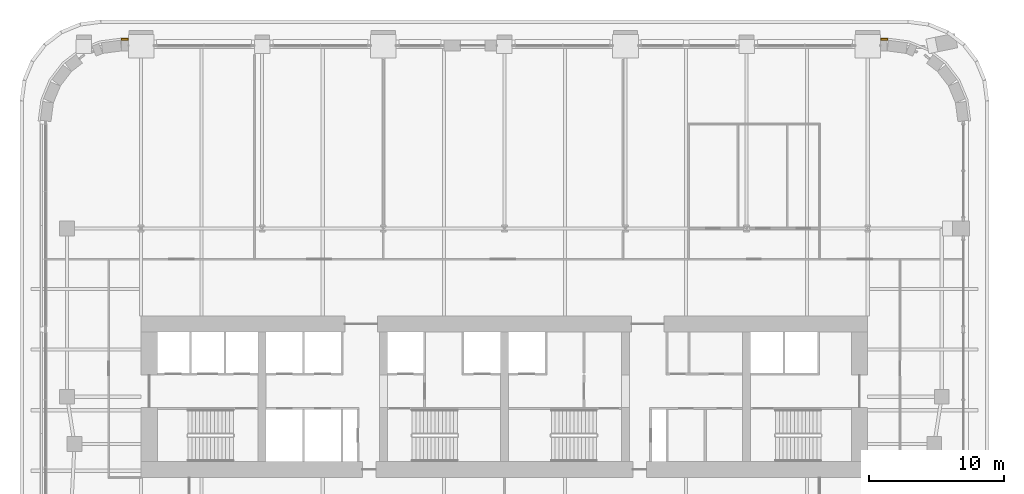
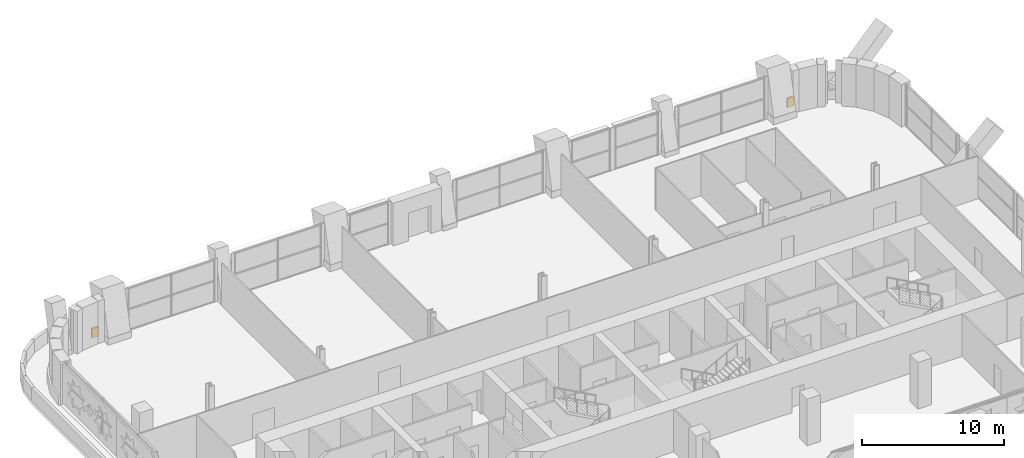
# One storey, part 26 of 26: 2 coverings.
"""IFC4 building model written with IfcOpenShell, lengths in metres."""

from ifc_helpers import new_model, si_unit, direction, frame, origin, place, context, subcontext, project, spatial, polyline, outline, extrude, material, layer, layer_set, type_object, element, save


model = new_model("IFC4")

# Units and contexts
model_context = context("Model", 3, precision=1e-05, world=origin(), true_north=direction((0.0, 1.0)))
body_context = subcontext(model_context, "Body", "Model", "MODEL_VIEW")
ifc_project = project(units=[si_unit("LENGTHUNIT", "METRE"), si_unit("AREAUNIT", "SQUARE_METRE"), si_unit("VOLUMEUNIT", "CUBIC_METRE"), si_unit("PLANEANGLEUNIT", "RADIAN"), si_unit("MASSUNIT", "GRAM", prefix="KILO")], contexts=[model_context])

# Site, building, storey
site_placement = place(None, origin())
site = spatial("IfcSite", under=ifc_project, at=site_placement, CompositionType="ELEMENT")
building_placement = place(site_placement, origin())
building = spatial("IfcBuilding", under=site, at=building_placement, Name="Zellij Exchange Tower", CompositionType="ELEMENT")
storey_placement = place(building_placement, frame((0.0, 0.0, 100.5)))
storey = spatial("IfcBuildingStorey", under=building, at=storey_placement, Name="L21", CompositionType="ELEMENT", Elevation=100.5)

# Coverings
ifc_material = material(Name="Limestone cladding", Category="masonry")
ifc_layer = layer(ifc_material, 0.14990234375)
ifc_layer_set = layer_set([ifc_layer], Name="Limestone cladding")
covering_type = type_object("IfcCoveringType", Name="ENV-CV1 Stone spandrel band 150", PredefinedType="CLADDING", material=ifc_layer_set)
covering_1_placement = place(storey_placement, origin())
element("IfcCovering", 1, at=covering_1_placement, inside=storey, type_object=covering_type, Name="Stone spandrel band", PredefinedType="CLADDING", context=body_context, shape_type="SweptSolid", body=[
    extrude(outline(polyline([(28.473876953125, 18.5), (27.949951171875, 18.5), (27.949951171875, 18.64990234375), (28.483642578125, 18.64990234375), (28.473876953125, 18.5)])), origin(), (0.0, 0.0, 1.0), 0.800048828125),
])
covering_2_placement = place(storey_placement, origin())
element("IfcCovering", 2, at=covering_2_placement, inside=storey, type_object=covering_type, Name="Stone spandrel band", PredefinedType="CLADDING", context=body_context, shape_type="SweptSolid", body=[
    extrude(outline(polyline([(-27.949951171875, 18.5), (-28.473876953125, 18.5), (-28.483642578125, 18.64990234375), (-27.949951171875, 18.64990234375), (-27.949951171875, 18.5)])), origin(), (0.0, 0.0, 1.0), 0.800048828125),
])

save(model, "model.ifc")
